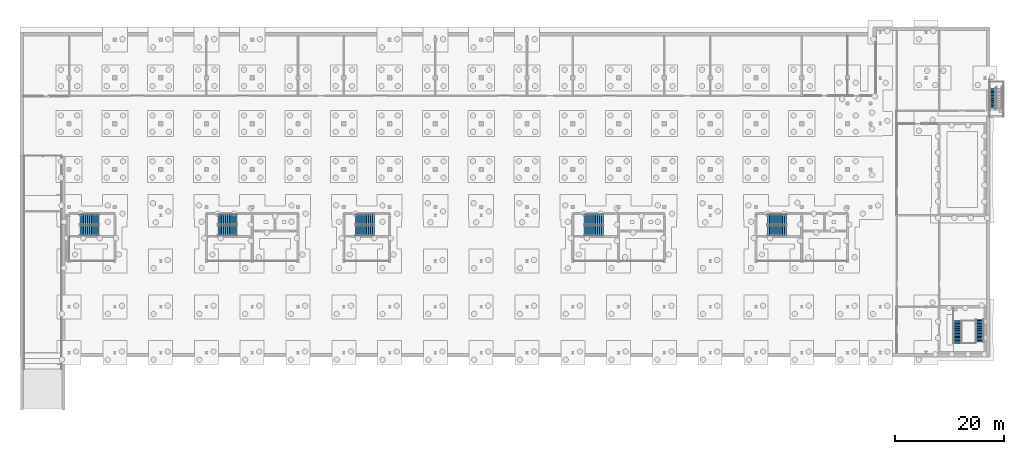
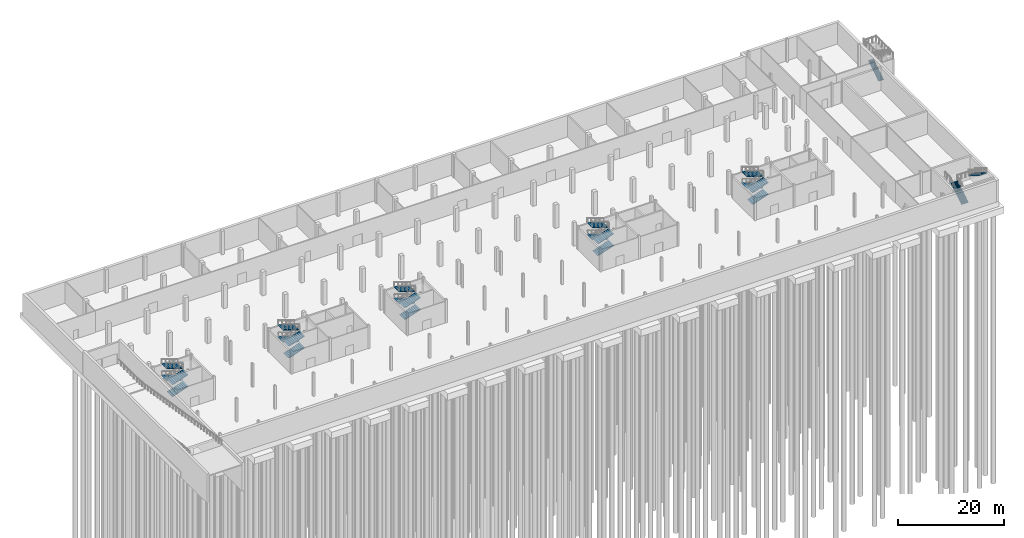
# One storey, part 22 of 29: 23 stair flights, 7 elements without a shape of their own.
"""IFC4 building model written with IfcOpenShell, lengths in metres."""

import ifcopenshell
import ifcopenshell.guid

model = None  # the IFC model being written
_history = None  # IfcOwnerHistory: only IFC2X3 demands one
_inside = {}  # id of a spatial element -> (the spatial element, [elements in it])
_under = {}  # id of a project, library or spatial element -> (it, [spatial elements below it])
_declared = {}  # id of a project -> (the project, [libraries it declares])
_typed = {}  # id of a type object -> (the type object, [elements of that type])
_made_of = {}  # id of a material, layer set ... -> (it, [elements and type objects made of it])


def new_model(schema):
    """Start an empty IFC model of exactly this schema.

    Asked for "IFC4X3", IfcOpenShell would pick the latest addendum, in which some entities
    have other attributes; the version numbers below select the first issue.
    IFC2X3 requires an IfcOwnerHistory on every rooted entity: one is made here for all.
    """
    global model, _history
    if schema == "IFC4X3":
        model = ifcopenshell.file(schema_version=(4, 3, 0, 0))
    else:
        model = ifcopenshell.file(schema=schema)
    _inside.clear()
    _under.clear()
    _declared.clear()
    _typed.clear()
    _made_of.clear()
    _history = None
    if model.schema == "IFC2X3":
        org = make("IfcOrganization", Name="unknown")
        user = make(
            "IfcPersonAndOrganization",
            ThePerson=make("IfcPerson", FamilyName="unknown"),
            TheOrganization=org,
        )
        app = make(
            "IfcApplication",
            ApplicationDeveloper=org,
            Version="unknown",
            ApplicationFullName="unknown",
            ApplicationIdentifier="unknown",
        )
        _history = make(
            "IfcOwnerHistory",
            OwningUser=user,
            OwningApplication=app,
            ChangeAction="ADDED",
            CreationDate=0,
        )
    return model


def make(cls, **values):
    """One entity of the class cls with the attributes given. An attribute that is None is left unset."""
    return model.create_entity(
        cls, **{name: value for name, value in values.items() if value is not None}
    )


def rooted(cls, **values):
    """An entity with a GlobalId (a new one), such as an element, a storey or a relation."""
    return make(cls, GlobalId=ifcopenshell.guid.new(), OwnerHistory=_history, **values)


def si_unit(unit_type, name, prefix=None):
    """IfcSIUnit, for example si_unit("LENGTHUNIT", "METRE", prefix="MILLI")."""
    return make("IfcSIUnit", UnitType=unit_type, Prefix=prefix, Name=name)


def assignment(units):
    """IfcUnitAssignment: the units of a project."""
    return None if units is None else make("IfcUnitAssignment", Units=units)


def point(xyz):
    """IfcCartesianPoint."""
    return None if xyz is None else make("IfcCartesianPoint", Coordinates=xyz)


def direction(xyz):
    """IfcDirection."""
    return None if xyz is None else make("IfcDirection", DirectionRatios=xyz)


def frame(location, z_axis=None, x_axis=None):
    """IfcAxis2Placement3D, a coordinate frame: its origin and axes. An axis left out is left unset."""
    return make(
        "IfcAxis2Placement3D",
        Location=point(location),
        Axis=direction(z_axis),
        RefDirection=direction(x_axis),
    )


def origin():
    """The frame at (0, 0, 0) with its axes left unset."""
    return frame((0.0, 0.0, 0.0))


def place(relative_to, where):
    """IfcLocalPlacement: puts the frame where relative to a parent placement (None: the world)."""
    return make(
        "IfcLocalPlacement", PlacementRelTo=relative_to, RelativePlacement=where
    )


def context(
    kind, dimensions, precision=None, world=None, true_north=None, identifier=None
):
    """IfcGeometricRepresentationContext, for example the 3D "Model" context."""
    return make(
        "IfcGeometricRepresentationContext",
        ContextIdentifier=identifier,
        ContextType=kind,
        CoordinateSpaceDimension=dimensions,
        Precision=precision,
        WorldCoordinateSystem=world,
        TrueNorth=true_north,
    )


def subcontext(parent, identifier, kind, view, scale=None):
    """IfcGeometricRepresentationSubContext, for example "Body" below "Model"."""
    return make(
        "IfcGeometricRepresentationSubContext",
        ContextIdentifier=identifier,
        ContextType=kind,
        ParentContext=parent,
        TargetScale=scale,
        TargetView=view,
    )


def project(units=None, contexts=None):
    """IfcProject with its units and contexts."""
    return rooted(
        "IfcProject",
        Name="project",
        RepresentationContexts=contexts,
        UnitsInContext=assignment(units),
    )


def spatial(cls, under=None, at=None, **own):
    """A site, building, storey or space (cls), placed at a placement, below another one or the project."""
    s = rooted(cls, ObjectPlacement=at, **own)
    if under is not None:
        _under.setdefault(under.id(), (under, []))[1].append(s)
    return s


def polyline(points):
    """IfcPolyline through the points."""
    return make("IfcPolyline", Points=[point(p) for p in points])


def outline(outer, holes=None, kind="AREA"):
    """IfcArbitraryClosedProfileDef: a profile drawn as a closed curve; with holes, ...WithVoids."""
    if holes is None:
        return make("IfcArbitraryClosedProfileDef", ProfileType=kind, OuterCurve=outer)
    return make(
        "IfcArbitraryProfileDefWithVoids",
        ProfileType=kind,
        OuterCurve=outer,
        InnerCurves=holes,
    )


def extrude(swept, where, along, depth):
    """IfcExtrudedAreaSolid: the profile swept, set in the frame where, extruded along a direction by depth."""
    return make(
        "IfcExtrudedAreaSolid",
        SweptArea=swept,
        Position=where,
        ExtrudedDirection=direction(along),
        Depth=depth,
    )


def shape(context_of_items, identifier, shape_type, items):
    """IfcShapeRepresentation: the items that make up one representation, for example the "Body"."""
    return make(
        "IfcShapeRepresentation",
        ContextOfItems=context_of_items,
        RepresentationIdentifier=identifier,
        RepresentationType=shape_type,
        Items=items,
    )


def material(Name=None, Category=None):
    """IfcMaterial."""
    return make("IfcMaterial", Name=Name, Category=Category)


def made_of(thing, what):
    """Note that an element or type object is made of a material, layer set ...; save() writes the relation."""
    if what is not None:
        _made_of.setdefault(what.id(), (what, []))[1].append(thing)
    return thing


def type_object(cls, material=None, **own):
    """A type object (cls), such as IfcWallType, which elements share."""
    return made_of(rooted(cls, **own), material)


def element(
    cls,
    number,
    at=None,
    inside=None,
    cuts=None,
    type_object=None,
    material=None,
    context=None,
    identifier="Body",
    shape_type=None,
    held_by="IfcProductDefinitionShape",
    body=None,
    shapes=None,
    **own,
):
    """One element of the class cls, such as IfcWall. Its Tag is "e" and its number.

    at: its placement. inside: the storey or other place that contains it. cuts: it is an
    opening in that element (IfcRelVoidsElement). A single representation is given by context,
    identifier, shape_type and body (its items); several are given by shapes. held_by: the class
    of the entity that holds the representations. save() writes the other relations.
    """
    e = rooted(cls, Tag="e%d" % number, ObjectPlacement=at, **own)
    if body is not None:
        shapes = [shape(context, identifier, shape_type, body)]
    if shapes is not None:
        e.Representation = make(held_by, Representations=shapes)
    if inside is not None:
        _inside.setdefault(inside.id(), (inside, []))[1].append(e)
    if cuts is not None:
        rooted(
            "IfcRelVoidsElement", RelatingBuildingElement=cuts, RelatedOpeningElement=e
        )
    if type_object is not None:
        _typed.setdefault(type_object.id(), (type_object, []))[1].append(e)
    return made_of(e, material)


def aggregate(whole, parts):
    """IfcRelAggregates: a whole, such as a stair, and the parts it consists of."""
    return rooted("IfcRelAggregates", RelatingObject=whole, RelatedObjects=parts)


def save(model, path):
    """Write the relations noted so far, then the file.

    IfcRelAggregates (storeys below a building ...), IfcRelContainedInSpatialStructure (elements
    in a storey), IfcRelDefinesByType, IfcRelAssociatesMaterial and IfcRelDeclares: one each for
    every whole, place, type object, material and project.
    """
    for whole, parts in _under.values():
        aggregate(whole, parts)
    for where, things in _inside.values():
        rooted(
            "IfcRelContainedInSpatialStructure",
            RelatedElements=things,
            RelatingStructure=where,
        )
    for kind, things in _typed.values():
        rooted("IfcRelDefinesByType", RelatedObjects=things, RelatingType=kind)
    for what, things in _made_of.values():
        rooted("IfcRelAssociatesMaterial", RelatedObjects=things, RelatingMaterial=what)
    for by, libraries in _declared.values():
        rooted("IfcRelDeclares", RelatingContext=by, RelatedDefinitions=libraries)
    model.write(path)


model = new_model("IFC4")

# Units and contexts
model_context = context("Model", 3, precision=1e-05, world=origin(), true_north=direction((0.0, 1.0)))
body_context = subcontext(model_context, "Body", "Model", "MODEL_VIEW")
ifc_project = project(units=[si_unit("LENGTHUNIT", "METRE"), si_unit("AREAUNIT", "SQUARE_METRE"), si_unit("VOLUMEUNIT", "CUBIC_METRE"), si_unit("PLANEANGLEUNIT", "RADIAN"), si_unit("MASSUNIT", "GRAM", prefix="KILO")], contexts=[model_context])

# Site, building, storey
site_placement = place(None, origin())
site = spatial("IfcSite", under=ifc_project, at=site_placement, CompositionType="ELEMENT")
building_placement = place(site_placement, origin())
building = spatial("IfcBuilding", under=site, at=building_placement, Name="Cresset Court Congress Hotel", CompositionType="ELEMENT")
storey_placement = place(building_placement, frame((0.0, 0.0, -5.39990234375)))
storey = spatial("IfcBuildingStorey", under=building, at=storey_placement, Name="B1", CompositionType="ELEMENT", Elevation=-5.39990234375)

# Stair, stair flights
ifc_material_1 = material(Name="Concrete C40", Category="concrete")
stair_type_1 = type_object("IfcStairType", Name="Concrete dog-leg stair 5600", PredefinedType="HALF_TURN_STAIR", material=ifc_material_1)
stair_1_placement = place(storey_placement, origin())
stair_1 = element("IfcStair", 1, at=stair_1_placement, inside=storey, type_object=stair_type_1, Name="Stair A1 B1", PredefinedType="HALF_TURN_STAIR")
ifc_material_2 = material(Name="Concrete C40", Category="concrete")
stair_flight_type_1 = type_object("IfcStairFlightType", Name="Concrete stair flight", PredefinedType="STRAIGHT", material=ifc_material_2)
stair_flight_1_placement = place(storey_placement, frame((171.35009765625, 1.699951171875, 0.0), z_axis=(0.0, 0.0, 1.0), x_axis=(0.0, 1.0, 0.0)))
stair_flight_1 = element("IfcStairFlight", 2, at=stair_flight_1_placement, type_object=stair_flight_type_1, Name="A-ST1 flight 1", NumberOfRisers=17, NumberOfTreads=16, PredefinedType="STRAIGHT", RiserHeight=0.158823529, TreadLength=0.26, context=body_context, shape_type="SweptSolid", body=[
    extrude(outline(polyline([(0.0, 0.0), (0.0, 0.158935546875), (0.260009765625, 0.158935546875), (0.260009765625, 0.317626953125), (0.52001953125, 0.317626953125), (0.52001953125, 0.4765625), (0.780029296875, 0.4765625), (0.780029296875, 0.63525390625), (1.0400390625, 0.63525390625), (1.0400390625, 0.794189453125), (1.300048828125, 0.794189453125), (1.300048828125, 0.952880859375), (1.56005859375, 0.952880859375), (1.56005859375, 1.11181640625), (1.820068359375, 1.11181640625), (1.820068359375, 1.2705078125), (2.080078125, 1.2705078125), (2.080078125, 1.429443359375), (2.340087890625, 1.429443359375), (2.340087890625, 1.588134765625), (2.60009765625, 1.588134765625), (2.60009765625, 1.7470703125), (2.860107421875, 1.7470703125), (2.860107421875, 1.90576171875), (3.1201171875, 1.90576171875), (3.1201171875, 2.064697265625), (3.3798828125, 2.064697265625), (3.3798828125, 2.2236328125), (3.639892578125, 2.2236328125), (3.639892578125, 2.38232421875), (3.89990234375, 2.38232421875), (3.89990234375, 2.541259765625), (4.159912109375, 2.541259765625), (4.159912109375, 2.699951171875), (4.159912109375, 2.365478515625), (0.28759765625, 0.0), (0.0, 0.0)])), frame((0.0, 0.75, 0.0), z_axis=(0.0, -1.0, 0.0), x_axis=(1.0, 0.0, 0.0)), (0.0, 0.0, 1.0), 1.5),
])
stair_flight_2_placement = place(storey_placement, frame((175.449951171875, 6.1201171875, 2.699951171875), z_axis=(0.0, 0.0, 1.0), x_axis=(0.0, -1.0, 0.0)))
stair_flight_2 = element("IfcStairFlight", 3, at=stair_flight_2_placement, type_object=stair_flight_type_1, Name="A-ST1 flight 2", NumberOfRisers=17, NumberOfTreads=16, PredefinedType="STRAIGHT", RiserHeight=0.158823529, TreadLength=0.26, context=body_context, shape_type="SweptSolid", body=[
    extrude(outline(polyline([(0.0, 0.0), (0.0, 0.158935546875), (0.260009765625, 0.158935546875), (0.260009765625, 0.317626953125), (0.52001953125, 0.317626953125), (0.52001953125, 0.4765625), (0.780029296875, 0.4765625), (0.780029296875, 0.63525390625), (1.0400390625, 0.63525390625), (1.0400390625, 0.794189453125), (1.300048828125, 0.794189453125), (1.300048828125, 0.952880859375), (1.56005859375, 0.952880859375), (1.56005859375, 1.11181640625), (1.820068359375, 1.11181640625), (1.820068359375, 1.2705078125), (2.080078125, 1.2705078125), (2.080078125, 1.429443359375), (2.340087890625, 1.429443359375), (2.340087890625, 1.588134765625), (2.60009765625, 1.588134765625), (2.60009765625, 1.7470703125), (2.860107421875, 1.7470703125), (2.860107421875, 1.90576171875), (3.1201171875, 1.90576171875), (3.1201171875, 2.064697265625), (3.3798828125, 2.064697265625), (3.3798828125, 2.2236328125), (3.639892578125, 2.2236328125), (3.639892578125, 2.38232421875), (3.89990234375, 2.38232421875), (3.89990234375, 2.541259765625), (4.159912109375, 2.541259765625), (4.159912109375, 2.699951171875), (4.159912109375, 2.365478515625), (0.28759765625, 0.0), (0.0, 0.0)])), frame((0.0, 0.75, 0.0), z_axis=(0.0, -1.0, 0.0), x_axis=(1.0, 0.0, 0.0)), (0.0, 0.0, 1.0), 1.5),
])
aggregate(stair_1, [stair_flight_1, stair_flight_2])

# Stair, stair flight
ifc_material_3 = material(Name="Concrete C40", Category="concrete")
stair_type_2 = type_object("IfcStairType", Name="Concrete dog-leg stair 2300", PredefinedType="HALF_TURN_STAIR", material=ifc_material_3)
stair_2_placement = place(storey_placement, origin())
stair_2 = element("IfcStair", 4, at=stair_2_placement, inside=storey, type_object=stair_type_2, Name="Stair A3 B1", PredefinedType="HALF_TURN_STAIR")
ifc_material_4 = material(Name="Concrete C40", Category="concrete")
stair_flight_type_2 = type_object("IfcStairFlightType", Name="Concrete stair flight external", PredefinedType="STRAIGHT", material=ifc_material_4)
stair_flight_3_placement = place(storey_placement, frame((177.85009765625, 44.550048828125, 0.0), z_axis=(0.0, 0.0, 1.0), x_axis=(0.0, 1.0, 0.0)))
stair_flight_3 = element("IfcStairFlight", 5, at=stair_flight_3_placement, type_object=stair_flight_type_2, Name="A-ST3 flight 1", NumberOfRisers=16, NumberOfTreads=15, PredefinedType="STRAIGHT", RiserHeight=0.16875, TreadLength=0.26, context=body_context, shape_type="SweptSolid", body=[
    extrude(outline(polyline([(0.0, 0.0), (0.0, 0.168701171875), (0.260009765625, 0.168701171875), (0.260009765625, 0.33740234375), (0.52001953125, 0.33740234375), (0.52001953125, 0.50634765625), (0.780029296875, 0.50634765625), (0.780029296875, 0.675048828125), (1.0400390625, 0.675048828125), (1.0400390625, 0.84375), (1.300048828125, 0.84375), (1.300048828125, 1.012451171875), (1.56005859375, 1.012451171875), (1.56005859375, 1.18115234375), (1.820068359375, 1.18115234375), (1.820068359375, 1.35009765625), (2.080078125, 1.35009765625), (2.080078125, 1.518798828125), (2.340087890625, 1.518798828125), (2.340087890625, 1.6875), (2.60009765625, 1.6875), (2.60009765625, 1.856201171875), (2.860107421875, 1.856201171875), (2.860107421875, 2.02490234375), (3.1201171875, 2.02490234375), (3.1201171875, 2.19384765625), (3.3798828125, 2.19384765625), (3.3798828125, 2.362548828125), (3.639892578125, 2.362548828125), (3.639892578125, 2.53125), (3.89990234375, 2.53125), (3.89990234375, 2.699951171875), (3.89990234375, 2.3525390625), (0.275390625, 0.0), (0.0, 0.0)])), frame((0.0, 0.550048828125, 0.0), z_axis=(0.0, -1.0, 0.0), x_axis=(1.0, 0.0, 0.0)), (0.0, 0.0, 1.0), 1.10009765625),
])
aggregate(stair_2, [stair_flight_3])

# Stair, stair flights
ifc_material_5 = material(Name="Concrete C40", Category="concrete")
stair_type_3 = type_object("IfcStairType", Name="Dog-leg stair 1400 flights", PredefinedType="HALF_TURN_STAIR", material=ifc_material_5)
stair_3_placement = place(storey_placement, origin())
stair_3 = element("IfcStair", 6, at=stair_3_placement, inside=storey, type_object=stair_type_3, Name="B1 Stair ST-B1", PredefinedType="HALF_TURN_STAIR")
ifc_material_6 = material(Name="Concrete C40", Category="concrete")
stair_flight_type_3 = type_object("IfcStairFlightType", Name="Stair flight 1400", PredefinedType="STRAIGHT", material=ifc_material_6)
stair_flight_4_placement = place(storey_placement, frame((10.3798828125, 22.39990234375, 0.0), z_axis=(0.0, 0.0, 1.0), x_axis=(1.0, 0.0, 0.0)))
stair_flight_4 = element("IfcStairFlight", 7, at=stair_flight_4_placement, type_object=stair_flight_type_3, Name="ST-B1 flight 1", NumberOfRisers=11, NumberOfTreads=10, PredefinedType="STRAIGHT", RiserHeight=0.122727273, TreadLength=0.35, context=body_context, shape_type="SweptSolid", body=[
    extrude(outline(polyline([(0.0, 0.0), (0.0, 0.122802734375), (0.35009765625, 0.122802734375), (0.35009765625, 0.245361328125), (0.699951171875, 0.245361328125), (0.699951171875, 0.3681640625), (1.050048828125, 0.3681640625), (1.050048828125, 0.490966796875), (1.39990234375, 0.490966796875), (1.39990234375, 0.613525390625), (1.75, 0.613525390625), (1.75, 0.736328125), (2.10009765625, 0.736328125), (2.10009765625, 0.859130859375), (2.449951171875, 0.859130859375), (2.449951171875, 0.98193359375), (2.800048828125, 0.98193359375), (2.800048828125, 1.1044921875), (3.14990234375, 1.1044921875), (3.14990234375, 1.227294921875), (3.5, 1.227294921875), (3.5, 1.35009765625), (3.5, 1.068359375), (0.453125, 0.0), (0.0, 0.0)])), frame((0.0, 0.949951171875, 0.0), z_axis=(0.0, -1.0, 0.0), x_axis=(1.0, 0.0, 0.0)), (0.0, 0.0, 1.0), 1.89990234375),
])
stair_flight_5_placement = place(storey_placement, frame((13.8798828125, 24.449951171875, 1.349853515625), z_axis=(0.0, 0.0, 1.0), x_axis=(-1.0, 0.0, 0.0)))
stair_flight_5 = element("IfcStairFlight", 8, at=stair_flight_5_placement, type_object=stair_flight_type_3, Name="ST-B1 flight 2", NumberOfRisers=11, NumberOfTreads=10, PredefinedType="STRAIGHT", RiserHeight=0.122727273, TreadLength=0.35, context=body_context, shape_type="SweptSolid", body=[
    extrude(outline(polyline([(0.0, 0.0), (0.0, 0.122802734375), (0.35009765625, 0.122802734375), (0.35009765625, 0.245361328125), (0.699951171875, 0.245361328125), (0.699951171875, 0.3681640625), (1.050048828125, 0.3681640625), (1.050048828125, 0.490966796875), (1.39990234375, 0.490966796875), (1.39990234375, 0.613525390625), (1.75, 0.613525390625), (1.75, 0.736328125), (2.10009765625, 0.736328125), (2.10009765625, 0.859130859375), (2.449951171875, 0.859130859375), (2.449951171875, 0.98193359375), (2.800048828125, 0.98193359375), (2.800048828125, 1.1044921875), (3.14990234375, 1.1044921875), (3.14990234375, 1.227294921875), (3.5, 1.227294921875), (3.5, 1.35009765625), (3.5, 1.068359375), (0.453125, 0.0), (0.0, 0.0)])), frame((0.0, 0.949951171875, 0.0), z_axis=(0.0, -1.0, 0.0), x_axis=(1.0, 0.0, 0.0)), (0.0, 0.0, 1.0), 1.89990234375),
])
stair_flight_6_placement = place(storey_placement, frame((10.3798828125, 22.39990234375, 2.699951171875), z_axis=(0.0, 0.0, 1.0), x_axis=(1.0, 0.0, 0.0)))
stair_flight_6 = element("IfcStairFlight", 9, at=stair_flight_6_placement, type_object=stair_flight_type_3, Name="ST-B1 flight 3", NumberOfRisers=11, NumberOfTreads=10, PredefinedType="STRAIGHT", RiserHeight=0.122727273, TreadLength=0.35, context=body_context, shape_type="SweptSolid", body=[
    extrude(outline(polyline([(0.0, 0.0), (0.0, 0.122802734375), (0.35009765625, 0.122802734375), (0.35009765625, 0.245361328125), (0.699951171875, 0.245361328125), (0.699951171875, 0.3681640625), (1.050048828125, 0.3681640625), (1.050048828125, 0.490966796875), (1.39990234375, 0.490966796875), (1.39990234375, 0.613525390625), (1.75, 0.613525390625), (1.75, 0.736328125), (2.10009765625, 0.736328125), (2.10009765625, 0.859130859375), (2.449951171875, 0.859130859375), (2.449951171875, 0.98193359375), (2.800048828125, 0.98193359375), (2.800048828125, 1.1044921875), (3.14990234375, 1.1044921875), (3.14990234375, 1.227294921875), (3.5, 1.227294921875), (3.5, 1.35009765625), (3.5, 1.068359375), (0.453125, 0.0), (0.0, 0.0)])), frame((0.0, 0.949951171875, 0.0), z_axis=(0.0, -1.0, 0.0), x_axis=(1.0, 0.0, 0.0)), (0.0, 0.0, 1.0), 1.89990234375),
])
stair_flight_7_placement = place(storey_placement, frame((13.8798828125, 24.449951171875, 4.0498046875), z_axis=(0.0, 0.0, 1.0), x_axis=(-1.0, 0.0, 0.0)))
stair_flight_7 = element("IfcStairFlight", 10, at=stair_flight_7_placement, type_object=stair_flight_type_3, Name="ST-B1 flight 4", NumberOfRisers=11, NumberOfTreads=10, PredefinedType="STRAIGHT", RiserHeight=0.122727273, TreadLength=0.35, context=body_context, shape_type="SweptSolid", body=[
    extrude(outline(polyline([(0.0, 0.0), (0.0, 0.122802734375), (0.35009765625, 0.122802734375), (0.35009765625, 0.245361328125), (0.699951171875, 0.245361328125), (0.699951171875, 0.3681640625), (1.050048828125, 0.3681640625), (1.050048828125, 0.490966796875), (1.39990234375, 0.490966796875), (1.39990234375, 0.613525390625), (1.75, 0.613525390625), (1.75, 0.736328125), (2.10009765625, 0.736328125), (2.10009765625, 0.859130859375), (2.449951171875, 0.859130859375), (2.449951171875, 0.98193359375), (2.800048828125, 0.98193359375), (2.800048828125, 1.1044921875), (3.14990234375, 1.1044921875), (3.14990234375, 1.227294921875), (3.5, 1.227294921875), (3.5, 1.35009765625), (3.5, 1.068359375), (0.453125, 0.0), (0.0, 0.0)])), frame((0.0, 0.949951171875, 0.0), z_axis=(0.0, -1.0, 0.0), x_axis=(1.0, 0.0, 0.0)), (0.0, 0.0, 1.0), 1.89990234375),
])
aggregate(stair_3, [stair_flight_4, stair_flight_5, stair_flight_6, stair_flight_7])

stair_4_placement = place(storey_placement, origin())
stair_4 = element("IfcStair", 11, at=stair_4_placement, inside=storey, type_object=stair_type_3, Name="B1 Stair ST-B2", PredefinedType="HALF_TURN_STAIR")
stair_flight_8_placement = place(storey_placement, frame((35.699951171875, 22.39990234375, 0.0), z_axis=(0.0, 0.0, 1.0), x_axis=(1.0, 0.0, 0.0)))
stair_flight_8 = element("IfcStairFlight", 12, at=stair_flight_8_placement, type_object=stair_flight_type_3, Name="ST-B2 flight 1", NumberOfRisers=11, NumberOfTreads=10, PredefinedType="STRAIGHT", RiserHeight=0.122727273, TreadLength=0.35, context=body_context, shape_type="SweptSolid", body=[
    extrude(outline(polyline([(0.0, 0.0), (0.0, 0.122802734375), (0.35009765625, 0.122802734375), (0.35009765625, 0.245361328125), (0.699951171875, 0.245361328125), (0.699951171875, 0.3681640625), (1.050048828125, 0.3681640625), (1.050048828125, 0.490966796875), (1.39990234375, 0.490966796875), (1.39990234375, 0.613525390625), (1.75, 0.613525390625), (1.75, 0.736328125), (2.10009765625, 0.736328125), (2.10009765625, 0.859130859375), (2.449951171875, 0.859130859375), (2.449951171875, 0.98193359375), (2.800048828125, 0.98193359375), (2.800048828125, 1.1044921875), (3.14990234375, 1.1044921875), (3.14990234375, 1.227294921875), (3.5, 1.227294921875), (3.5, 1.35009765625), (3.5, 1.068359375), (0.453125, 0.0), (0.0, 0.0)])), frame((0.0, 0.949951171875, 0.0), z_axis=(0.0, -1.0, 0.0), x_axis=(1.0, 0.0, 0.0)), (0.0, 0.0, 1.0), 1.89990234375),
])
stair_flight_9_placement = place(storey_placement, frame((39.199951171875, 24.449951171875, 1.349853515625), z_axis=(0.0, 0.0, 1.0), x_axis=(-1.0, 0.0, 0.0)))
stair_flight_9 = element("IfcStairFlight", 13, at=stair_flight_9_placement, type_object=stair_flight_type_3, Name="ST-B2 flight 2", NumberOfRisers=11, NumberOfTreads=10, PredefinedType="STRAIGHT", RiserHeight=0.122727273, TreadLength=0.35, context=body_context, shape_type="SweptSolid", body=[
    extrude(outline(polyline([(0.0, 0.0), (0.0, 0.122802734375), (0.35009765625, 0.122802734375), (0.35009765625, 0.245361328125), (0.699951171875, 0.245361328125), (0.699951171875, 0.3681640625), (1.050048828125, 0.3681640625), (1.050048828125, 0.490966796875), (1.39990234375, 0.490966796875), (1.39990234375, 0.613525390625), (1.75, 0.613525390625), (1.75, 0.736328125), (2.10009765625, 0.736328125), (2.10009765625, 0.859130859375), (2.449951171875, 0.859130859375), (2.449951171875, 0.98193359375), (2.800048828125, 0.98193359375), (2.800048828125, 1.1044921875), (3.14990234375, 1.1044921875), (3.14990234375, 1.227294921875), (3.5, 1.227294921875), (3.5, 1.35009765625), (3.5, 1.068359375), (0.453125, 0.0), (0.0, 0.0)])), frame((0.0, 0.949951171875, 0.0), z_axis=(0.0, -1.0, 0.0), x_axis=(1.0, 0.0, 0.0)), (0.0, 0.0, 1.0), 1.89990234375),
])
stair_flight_10_placement = place(storey_placement, frame((35.699951171875, 22.39990234375, 2.699951171875), z_axis=(0.0, 0.0, 1.0), x_axis=(1.0, 0.0, 0.0)))
stair_flight_10 = element("IfcStairFlight", 14, at=stair_flight_10_placement, type_object=stair_flight_type_3, Name="ST-B2 flight 3", NumberOfRisers=11, NumberOfTreads=10, PredefinedType="STRAIGHT", RiserHeight=0.122727273, TreadLength=0.35, context=body_context, shape_type="SweptSolid", body=[
    extrude(outline(polyline([(0.0, 0.0), (0.0, 0.122802734375), (0.35009765625, 0.122802734375), (0.35009765625, 0.245361328125), (0.699951171875, 0.245361328125), (0.699951171875, 0.3681640625), (1.050048828125, 0.3681640625), (1.050048828125, 0.490966796875), (1.39990234375, 0.490966796875), (1.39990234375, 0.613525390625), (1.75, 0.613525390625), (1.75, 0.736328125), (2.10009765625, 0.736328125), (2.10009765625, 0.859130859375), (2.449951171875, 0.859130859375), (2.449951171875, 0.98193359375), (2.800048828125, 0.98193359375), (2.800048828125, 1.1044921875), (3.14990234375, 1.1044921875), (3.14990234375, 1.227294921875), (3.5, 1.227294921875), (3.5, 1.35009765625), (3.5, 1.068359375), (0.453125, 0.0), (0.0, 0.0)])), frame((0.0, 0.949951171875, 0.0), z_axis=(0.0, -1.0, 0.0), x_axis=(1.0, 0.0, 0.0)), (0.0, 0.0, 1.0), 1.89990234375),
])
stair_flight_11_placement = place(storey_placement, frame((39.199951171875, 24.449951171875, 4.0498046875), z_axis=(0.0, 0.0, 1.0), x_axis=(-1.0, 0.0, 0.0)))
stair_flight_11 = element("IfcStairFlight", 15, at=stair_flight_11_placement, type_object=stair_flight_type_3, Name="ST-B2 flight 4", NumberOfRisers=11, NumberOfTreads=10, PredefinedType="STRAIGHT", RiserHeight=0.122727273, TreadLength=0.35, context=body_context, shape_type="SweptSolid", body=[
    extrude(outline(polyline([(0.0, 0.0), (0.0, 0.122802734375), (0.35009765625, 0.122802734375), (0.35009765625, 0.245361328125), (0.699951171875, 0.245361328125), (0.699951171875, 0.3681640625), (1.050048828125, 0.3681640625), (1.050048828125, 0.490966796875), (1.39990234375, 0.490966796875), (1.39990234375, 0.613525390625), (1.75, 0.613525390625), (1.75, 0.736328125), (2.10009765625, 0.736328125), (2.10009765625, 0.859130859375), (2.449951171875, 0.859130859375), (2.449951171875, 0.98193359375), (2.800048828125, 0.98193359375), (2.800048828125, 1.1044921875), (3.14990234375, 1.1044921875), (3.14990234375, 1.227294921875), (3.5, 1.227294921875), (3.5, 1.35009765625), (3.5, 1.068359375), (0.453125, 0.0), (0.0, 0.0)])), frame((0.0, 0.949951171875, 0.0), z_axis=(0.0, -1.0, 0.0), x_axis=(1.0, 0.0, 0.0)), (0.0, 0.0, 1.0), 1.89990234375),
])
aggregate(stair_4, [stair_flight_8, stair_flight_9, stair_flight_10, stair_flight_11])

stair_5_placement = place(storey_placement, origin())
stair_5 = element("IfcStair", 16, at=stair_5_placement, inside=storey, type_object=stair_type_3, Name="B1 Stair ST-B3", PredefinedType="HALF_TURN_STAIR")
stair_flight_12_placement = place(storey_placement, frame((60.89990234375, 22.39990234375, 0.0), z_axis=(0.0, 0.0, 1.0), x_axis=(1.0, 0.0, 0.0)))
stair_flight_12 = element("IfcStairFlight", 17, at=stair_flight_12_placement, type_object=stair_flight_type_3, Name="ST-B3 flight 1", NumberOfRisers=11, NumberOfTreads=10, PredefinedType="STRAIGHT", RiserHeight=0.122727273, TreadLength=0.35, context=body_context, shape_type="SweptSolid", body=[
    extrude(outline(polyline([(0.0, 0.0), (0.0, 0.122802734375), (0.35009765625, 0.122802734375), (0.35009765625, 0.245361328125), (0.699951171875, 0.245361328125), (0.699951171875, 0.3681640625), (1.050048828125, 0.3681640625), (1.050048828125, 0.490966796875), (1.39990234375, 0.490966796875), (1.39990234375, 0.613525390625), (1.75, 0.613525390625), (1.75, 0.736328125), (2.10009765625, 0.736328125), (2.10009765625, 0.859130859375), (2.449951171875, 0.859130859375), (2.449951171875, 0.98193359375), (2.800048828125, 0.98193359375), (2.800048828125, 1.1044921875), (3.14990234375, 1.1044921875), (3.14990234375, 1.227294921875), (3.5, 1.227294921875), (3.5, 1.35009765625), (3.5, 1.068359375), (0.453125, 0.0), (0.0, 0.0)])), frame((0.0, 0.949951171875, 0.0), z_axis=(0.0, -1.0, 0.0), x_axis=(1.0, 0.0, 0.0)), (0.0, 0.0, 1.0), 1.89990234375),
])
stair_flight_13_placement = place(storey_placement, frame((64.39990234375, 24.449951171875, 1.349853515625), z_axis=(0.0, 0.0, 1.0), x_axis=(-1.0, 0.0, 0.0)))
stair_flight_13 = element("IfcStairFlight", 18, at=stair_flight_13_placement, type_object=stair_flight_type_3, Name="ST-B3 flight 2", NumberOfRisers=11, NumberOfTreads=10, PredefinedType="STRAIGHT", RiserHeight=0.122727273, TreadLength=0.35, context=body_context, shape_type="SweptSolid", body=[
    extrude(outline(polyline([(0.0, 0.0), (0.0, 0.122802734375), (0.35009765625, 0.122802734375), (0.35009765625, 0.245361328125), (0.699951171875, 0.245361328125), (0.699951171875, 0.3681640625), (1.050048828125, 0.3681640625), (1.050048828125, 0.490966796875), (1.39990234375, 0.490966796875), (1.39990234375, 0.613525390625), (1.75, 0.613525390625), (1.75, 0.736328125), (2.10009765625, 0.736328125), (2.10009765625, 0.859130859375), (2.449951171875, 0.859130859375), (2.449951171875, 0.98193359375), (2.800048828125, 0.98193359375), (2.800048828125, 1.1044921875), (3.14990234375, 1.1044921875), (3.14990234375, 1.227294921875), (3.5, 1.227294921875), (3.5, 1.35009765625), (3.5, 1.068359375), (0.453125, 0.0), (0.0, 0.0)])), frame((0.0, 0.949951171875, 0.0), z_axis=(0.0, -1.0, 0.0), x_axis=(1.0, 0.0, 0.0)), (0.0, 0.0, 1.0), 1.89990234375),
])
stair_flight_14_placement = place(storey_placement, frame((60.89990234375, 22.39990234375, 2.699951171875), z_axis=(0.0, 0.0, 1.0), x_axis=(1.0, 0.0, 0.0)))
stair_flight_14 = element("IfcStairFlight", 19, at=stair_flight_14_placement, type_object=stair_flight_type_3, Name="ST-B3 flight 3", NumberOfRisers=11, NumberOfTreads=10, PredefinedType="STRAIGHT", RiserHeight=0.122727273, TreadLength=0.35, context=body_context, shape_type="SweptSolid", body=[
    extrude(outline(polyline([(0.0, 0.0), (0.0, 0.122802734375), (0.35009765625, 0.122802734375), (0.35009765625, 0.245361328125), (0.699951171875, 0.245361328125), (0.699951171875, 0.3681640625), (1.050048828125, 0.3681640625), (1.050048828125, 0.490966796875), (1.39990234375, 0.490966796875), (1.39990234375, 0.613525390625), (1.75, 0.613525390625), (1.75, 0.736328125), (2.10009765625, 0.736328125), (2.10009765625, 0.859130859375), (2.449951171875, 0.859130859375), (2.449951171875, 0.98193359375), (2.800048828125, 0.98193359375), (2.800048828125, 1.1044921875), (3.14990234375, 1.1044921875), (3.14990234375, 1.227294921875), (3.5, 1.227294921875), (3.5, 1.35009765625), (3.5, 1.068359375), (0.453125, 0.0), (0.0, 0.0)])), frame((0.0, 0.949951171875, 0.0), z_axis=(0.0, -1.0, 0.0), x_axis=(1.0, 0.0, 0.0)), (0.0, 0.0, 1.0), 1.89990234375),
])
stair_flight_15_placement = place(storey_placement, frame((64.39990234375, 24.449951171875, 4.0498046875), z_axis=(0.0, 0.0, 1.0), x_axis=(-1.0, 0.0, 0.0)))
stair_flight_15 = element("IfcStairFlight", 20, at=stair_flight_15_placement, type_object=stair_flight_type_3, Name="ST-B3 flight 4", NumberOfRisers=11, NumberOfTreads=10, PredefinedType="STRAIGHT", RiserHeight=0.122727273, TreadLength=0.35, context=body_context, shape_type="SweptSolid", body=[
    extrude(outline(polyline([(0.0, 0.0), (0.0, 0.122802734375), (0.35009765625, 0.122802734375), (0.35009765625, 0.245361328125), (0.699951171875, 0.245361328125), (0.699951171875, 0.3681640625), (1.050048828125, 0.3681640625), (1.050048828125, 0.490966796875), (1.39990234375, 0.490966796875), (1.39990234375, 0.613525390625), (1.75, 0.613525390625), (1.75, 0.736328125), (2.10009765625, 0.736328125), (2.10009765625, 0.859130859375), (2.449951171875, 0.859130859375), (2.449951171875, 0.98193359375), (2.800048828125, 0.98193359375), (2.800048828125, 1.1044921875), (3.14990234375, 1.1044921875), (3.14990234375, 1.227294921875), (3.5, 1.227294921875), (3.5, 1.35009765625), (3.5, 1.068359375), (0.453125, 0.0), (0.0, 0.0)])), frame((0.0, 0.949951171875, 0.0), z_axis=(0.0, -1.0, 0.0), x_axis=(1.0, 0.0, 0.0)), (0.0, 0.0, 1.0), 1.89990234375),
])
aggregate(stair_5, [stair_flight_12, stair_flight_13, stair_flight_14, stair_flight_15])

stair_6_placement = place(storey_placement, origin())
stair_6 = element("IfcStair", 21, at=stair_6_placement, inside=storey, type_object=stair_type_3, Name="B1 Stair ST-B4", PredefinedType="HALF_TURN_STAIR")
stair_flight_16_placement = place(storey_placement, frame((102.89990234375, 22.39990234375, 0.0), z_axis=(0.0, 0.0, 1.0), x_axis=(1.0, 0.0, 0.0)))
stair_flight_16 = element("IfcStairFlight", 22, at=stair_flight_16_placement, type_object=stair_flight_type_3, Name="ST-B4 flight 1", NumberOfRisers=11, NumberOfTreads=10, PredefinedType="STRAIGHT", RiserHeight=0.122727273, TreadLength=0.35, context=body_context, shape_type="SweptSolid", body=[
    extrude(outline(polyline([(0.0, 0.0), (0.0, 0.122802734375), (0.35009765625, 0.122802734375), (0.35009765625, 0.245361328125), (0.699951171875, 0.245361328125), (0.699951171875, 0.3681640625), (1.050048828125, 0.3681640625), (1.050048828125, 0.490966796875), (1.39990234375, 0.490966796875), (1.39990234375, 0.613525390625), (1.75, 0.613525390625), (1.75, 0.736328125), (2.10009765625, 0.736328125), (2.10009765625, 0.859130859375), (2.449951171875, 0.859130859375), (2.449951171875, 0.98193359375), (2.800048828125, 0.98193359375), (2.800048828125, 1.1044921875), (3.14990234375, 1.1044921875), (3.14990234375, 1.227294921875), (3.5, 1.227294921875), (3.5, 1.35009765625), (3.5, 1.068359375), (0.453125, 0.0), (0.0, 0.0)])), frame((0.0, 0.949951171875, 0.0), z_axis=(0.0, -1.0, 0.0), x_axis=(1.0, 0.0, 0.0)), (0.0, 0.0, 1.0), 1.89990234375),
])
stair_flight_17_placement = place(storey_placement, frame((106.39990234375, 24.449951171875, 1.349853515625), z_axis=(0.0, 0.0, 1.0), x_axis=(-1.0, 0.0, 0.0)))
stair_flight_17 = element("IfcStairFlight", 23, at=stair_flight_17_placement, type_object=stair_flight_type_3, Name="ST-B4 flight 2", NumberOfRisers=11, NumberOfTreads=10, PredefinedType="STRAIGHT", RiserHeight=0.122727273, TreadLength=0.35, context=body_context, shape_type="SweptSolid", body=[
    extrude(outline(polyline([(0.0, 0.0), (0.0, 0.122802734375), (0.35009765625, 0.122802734375), (0.35009765625, 0.245361328125), (0.699951171875, 0.245361328125), (0.699951171875, 0.3681640625), (1.050048828125, 0.3681640625), (1.050048828125, 0.490966796875), (1.39990234375, 0.490966796875), (1.39990234375, 0.613525390625), (1.75, 0.613525390625), (1.75, 0.736328125), (2.10009765625, 0.736328125), (2.10009765625, 0.859130859375), (2.449951171875, 0.859130859375), (2.449951171875, 0.98193359375), (2.800048828125, 0.98193359375), (2.800048828125, 1.1044921875), (3.14990234375, 1.1044921875), (3.14990234375, 1.227294921875), (3.5, 1.227294921875), (3.5, 1.35009765625), (3.5, 1.068359375), (0.453125, 0.0), (0.0, 0.0)])), frame((0.0, 0.949951171875, 0.0), z_axis=(0.0, -1.0, 0.0), x_axis=(1.0, 0.0, 0.0)), (0.0, 0.0, 1.0), 1.89990234375),
])
stair_flight_18_placement = place(storey_placement, frame((102.89990234375, 22.39990234375, 2.699951171875), z_axis=(0.0, 0.0, 1.0), x_axis=(1.0, 0.0, 0.0)))
stair_flight_18 = element("IfcStairFlight", 24, at=stair_flight_18_placement, type_object=stair_flight_type_3, Name="ST-B4 flight 3", NumberOfRisers=11, NumberOfTreads=10, PredefinedType="STRAIGHT", RiserHeight=0.122727273, TreadLength=0.35, context=body_context, shape_type="SweptSolid", body=[
    extrude(outline(polyline([(0.0, 0.0), (0.0, 0.122802734375), (0.35009765625, 0.122802734375), (0.35009765625, 0.245361328125), (0.699951171875, 0.245361328125), (0.699951171875, 0.3681640625), (1.050048828125, 0.3681640625), (1.050048828125, 0.490966796875), (1.39990234375, 0.490966796875), (1.39990234375, 0.613525390625), (1.75, 0.613525390625), (1.75, 0.736328125), (2.10009765625, 0.736328125), (2.10009765625, 0.859130859375), (2.449951171875, 0.859130859375), (2.449951171875, 0.98193359375), (2.800048828125, 0.98193359375), (2.800048828125, 1.1044921875), (3.14990234375, 1.1044921875), (3.14990234375, 1.227294921875), (3.5, 1.227294921875), (3.5, 1.35009765625), (3.5, 1.068359375), (0.453125, 0.0), (0.0, 0.0)])), frame((0.0, 0.949951171875, 0.0), z_axis=(0.0, -1.0, 0.0), x_axis=(1.0, 0.0, 0.0)), (0.0, 0.0, 1.0), 1.89990234375),
])
stair_flight_19_placement = place(storey_placement, frame((106.39990234375, 24.449951171875, 4.0498046875), z_axis=(0.0, 0.0, 1.0), x_axis=(-1.0, 0.0, 0.0)))
stair_flight_19 = element("IfcStairFlight", 25, at=stair_flight_19_placement, type_object=stair_flight_type_3, Name="ST-B4 flight 4", NumberOfRisers=11, NumberOfTreads=10, PredefinedType="STRAIGHT", RiserHeight=0.122727273, TreadLength=0.35, context=body_context, shape_type="SweptSolid", body=[
    extrude(outline(polyline([(0.0, 0.0), (0.0, 0.122802734375), (0.35009765625, 0.122802734375), (0.35009765625, 0.245361328125), (0.699951171875, 0.245361328125), (0.699951171875, 0.3681640625), (1.050048828125, 0.3681640625), (1.050048828125, 0.490966796875), (1.39990234375, 0.490966796875), (1.39990234375, 0.613525390625), (1.75, 0.613525390625), (1.75, 0.736328125), (2.10009765625, 0.736328125), (2.10009765625, 0.859130859375), (2.449951171875, 0.859130859375), (2.449951171875, 0.98193359375), (2.800048828125, 0.98193359375), (2.800048828125, 1.1044921875), (3.14990234375, 1.1044921875), (3.14990234375, 1.227294921875), (3.5, 1.227294921875), (3.5, 1.35009765625), (3.5, 1.068359375), (0.453125, 0.0), (0.0, 0.0)])), frame((0.0, 0.949951171875, 0.0), z_axis=(0.0, -1.0, 0.0), x_axis=(1.0, 0.0, 0.0)), (0.0, 0.0, 1.0), 1.89990234375),
])
aggregate(stair_6, [stair_flight_16, stair_flight_17, stair_flight_18, stair_flight_19])

stair_7_placement = place(storey_placement, origin())
stair_7 = element("IfcStair", 26, at=stair_7_placement, inside=storey, type_object=stair_type_3, Name="B1 Stair ST-B5", PredefinedType="HALF_TURN_STAIR")
stair_flight_20_placement = place(storey_placement, frame((136.5, 22.39990234375, 0.0), z_axis=(0.0, 0.0, 1.0), x_axis=(1.0, 0.0, 0.0)))
stair_flight_20 = element("IfcStairFlight", 27, at=stair_flight_20_placement, type_object=stair_flight_type_3, Name="ST-B5 flight 1", NumberOfRisers=11, NumberOfTreads=10, PredefinedType="STRAIGHT", RiserHeight=0.122727273, TreadLength=0.35, context=body_context, shape_type="SweptSolid", body=[
    extrude(outline(polyline([(0.0, 0.0), (0.0, 0.122802734375), (0.35009765625, 0.122802734375), (0.35009765625, 0.245361328125), (0.699951171875, 0.245361328125), (0.699951171875, 0.3681640625), (1.050048828125, 0.3681640625), (1.050048828125, 0.490966796875), (1.39990234375, 0.490966796875), (1.39990234375, 0.613525390625), (1.75, 0.613525390625), (1.75, 0.736328125), (2.10009765625, 0.736328125), (2.10009765625, 0.859130859375), (2.449951171875, 0.859130859375), (2.449951171875, 0.98193359375), (2.800048828125, 0.98193359375), (2.800048828125, 1.1044921875), (3.14990234375, 1.1044921875), (3.14990234375, 1.227294921875), (3.5, 1.227294921875), (3.5, 1.35009765625), (3.5, 1.068359375), (0.453125, 0.0), (0.0, 0.0)])), frame((0.0, 0.949951171875, 0.0), z_axis=(0.0, -1.0, 0.0), x_axis=(1.0, 0.0, 0.0)), (0.0, 0.0, 1.0), 1.89990234375),
])
stair_flight_21_placement = place(storey_placement, frame((140.0, 24.449951171875, 1.349853515625), z_axis=(0.0, 0.0, 1.0), x_axis=(-1.0, 0.0, 0.0)))
stair_flight_21 = element("IfcStairFlight", 28, at=stair_flight_21_placement, type_object=stair_flight_type_3, Name="ST-B5 flight 2", NumberOfRisers=11, NumberOfTreads=10, PredefinedType="STRAIGHT", RiserHeight=0.122727273, TreadLength=0.35, context=body_context, shape_type="SweptSolid", body=[
    extrude(outline(polyline([(0.0, 0.0), (0.0, 0.122802734375), (0.35009765625, 0.122802734375), (0.35009765625, 0.245361328125), (0.699951171875, 0.245361328125), (0.699951171875, 0.3681640625), (1.050048828125, 0.3681640625), (1.050048828125, 0.490966796875), (1.39990234375, 0.490966796875), (1.39990234375, 0.613525390625), (1.75, 0.613525390625), (1.75, 0.736328125), (2.10009765625, 0.736328125), (2.10009765625, 0.859130859375), (2.449951171875, 0.859130859375), (2.449951171875, 0.98193359375), (2.800048828125, 0.98193359375), (2.800048828125, 1.1044921875), (3.14990234375, 1.1044921875), (3.14990234375, 1.227294921875), (3.5, 1.227294921875), (3.5, 1.35009765625), (3.5, 1.068359375), (0.453125, 0.0), (0.0, 0.0)])), frame((0.0, 0.949951171875, 0.0), z_axis=(0.0, -1.0, 0.0), x_axis=(1.0, 0.0, 0.0)), (0.0, 0.0, 1.0), 1.89990234375),
])
stair_flight_22_placement = place(storey_placement, frame((136.5, 22.39990234375, 2.699951171875), z_axis=(0.0, 0.0, 1.0), x_axis=(1.0, 0.0, 0.0)))
stair_flight_22 = element("IfcStairFlight", 29, at=stair_flight_22_placement, type_object=stair_flight_type_3, Name="ST-B5 flight 3", NumberOfRisers=11, NumberOfTreads=10, PredefinedType="STRAIGHT", RiserHeight=0.122727273, TreadLength=0.35, context=body_context, shape_type="SweptSolid", body=[
    extrude(outline(polyline([(0.0, 0.0), (0.0, 0.122802734375), (0.35009765625, 0.122802734375), (0.35009765625, 0.245361328125), (0.699951171875, 0.245361328125), (0.699951171875, 0.3681640625), (1.050048828125, 0.3681640625), (1.050048828125, 0.490966796875), (1.39990234375, 0.490966796875), (1.39990234375, 0.613525390625), (1.75, 0.613525390625), (1.75, 0.736328125), (2.10009765625, 0.736328125), (2.10009765625, 0.859130859375), (2.449951171875, 0.859130859375), (2.449951171875, 0.98193359375), (2.800048828125, 0.98193359375), (2.800048828125, 1.1044921875), (3.14990234375, 1.1044921875), (3.14990234375, 1.227294921875), (3.5, 1.227294921875), (3.5, 1.35009765625), (3.5, 1.068359375), (0.453125, 0.0), (0.0, 0.0)])), frame((0.0, 0.949951171875, 0.0), z_axis=(0.0, -1.0, 0.0), x_axis=(1.0, 0.0, 0.0)), (0.0, 0.0, 1.0), 1.89990234375),
])
stair_flight_23_placement = place(storey_placement, frame((140.0, 24.449951171875, 4.0498046875), z_axis=(0.0, 0.0, 1.0), x_axis=(-1.0, 0.0, 0.0)))
stair_flight_23 = element("IfcStairFlight", 30, at=stair_flight_23_placement, type_object=stair_flight_type_3, Name="ST-B5 flight 4", NumberOfRisers=11, NumberOfTreads=10, PredefinedType="STRAIGHT", RiserHeight=0.122727273, TreadLength=0.35, context=body_context, shape_type="SweptSolid", body=[
    extrude(outline(polyline([(0.0, 0.0), (0.0, 0.122802734375), (0.35009765625, 0.122802734375), (0.35009765625, 0.245361328125), (0.699951171875, 0.245361328125), (0.699951171875, 0.3681640625), (1.050048828125, 0.3681640625), (1.050048828125, 0.490966796875), (1.39990234375, 0.490966796875), (1.39990234375, 0.613525390625), (1.75, 0.613525390625), (1.75, 0.736328125), (2.10009765625, 0.736328125), (2.10009765625, 0.859130859375), (2.449951171875, 0.859130859375), (2.449951171875, 0.98193359375), (2.800048828125, 0.98193359375), (2.800048828125, 1.1044921875), (3.14990234375, 1.1044921875), (3.14990234375, 1.227294921875), (3.5, 1.227294921875), (3.5, 1.35009765625), (3.5, 1.068359375), (0.453125, 0.0), (0.0, 0.0)])), frame((0.0, 0.949951171875, 0.0), z_axis=(0.0, -1.0, 0.0), x_axis=(1.0, 0.0, 0.0)), (0.0, 0.0, 1.0), 1.89990234375),
])
aggregate(stair_7, [stair_flight_20, stair_flight_21, stair_flight_22, stair_flight_23])

save(model, "model.ifc")
